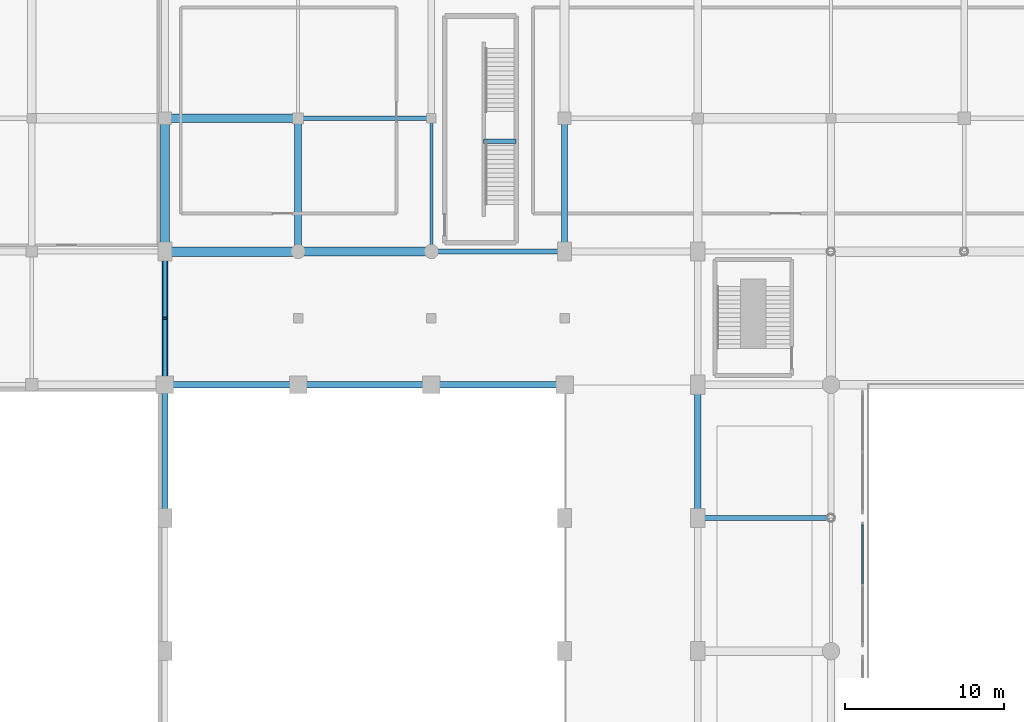
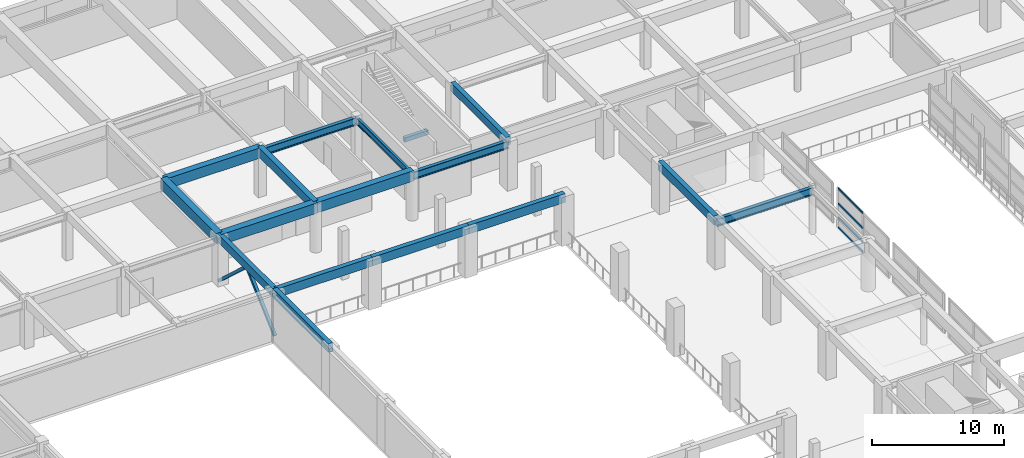
# One storey, part 27 of 65: 17 beams, 6 members, 1 element without a shape of its own.
"""IFC4 building model written with IfcOpenShell, lengths in metres."""

import ifcopenshell
import ifcopenshell.guid

model = None  # the IFC model being written
_history = None  # IfcOwnerHistory: only IFC2X3 demands one
_inside = {}  # id of a spatial element -> (the spatial element, [elements in it])
_under = {}  # id of a project, library or spatial element -> (it, [spatial elements below it])
_declared = {}  # id of a project -> (the project, [libraries it declares])
_typed = {}  # id of a type object -> (the type object, [elements of that type])
_made_of = {}  # id of a material, layer set ... -> (it, [elements and type objects made of it])


def new_model(schema):
    """Start an empty IFC model of exactly this schema.

    Asked for "IFC4X3", IfcOpenShell would pick the latest addendum, in which some entities
    have other attributes; the version numbers below select the first issue.
    IFC2X3 requires an IfcOwnerHistory on every rooted entity: one is made here for all.
    """
    global model, _history
    if schema == "IFC4X3":
        model = ifcopenshell.file(schema_version=(4, 3, 0, 0))
    else:
        model = ifcopenshell.file(schema=schema)
    _inside.clear()
    _under.clear()
    _declared.clear()
    _typed.clear()
    _made_of.clear()
    _history = None
    if model.schema == "IFC2X3":
        org = make("IfcOrganization", Name="unknown")
        user = make(
            "IfcPersonAndOrganization",
            ThePerson=make("IfcPerson", FamilyName="unknown"),
            TheOrganization=org,
        )
        app = make(
            "IfcApplication",
            ApplicationDeveloper=org,
            Version="unknown",
            ApplicationFullName="unknown",
            ApplicationIdentifier="unknown",
        )
        _history = make(
            "IfcOwnerHistory",
            OwningUser=user,
            OwningApplication=app,
            ChangeAction="ADDED",
            CreationDate=0,
        )
    return model


def make(cls, **values):
    """One entity of the class cls with the attributes given. An attribute that is None is left unset."""
    return model.create_entity(
        cls, **{name: value for name, value in values.items() if value is not None}
    )


def rooted(cls, **values):
    """An entity with a GlobalId (a new one), such as an element, a storey or a relation."""
    return make(cls, GlobalId=ifcopenshell.guid.new(), OwnerHistory=_history, **values)


def si_unit(unit_type, name, prefix=None):
    """IfcSIUnit, for example si_unit("LENGTHUNIT", "METRE", prefix="MILLI")."""
    return make("IfcSIUnit", UnitType=unit_type, Prefix=prefix, Name=name)


def assignment(units):
    """IfcUnitAssignment: the units of a project."""
    return None if units is None else make("IfcUnitAssignment", Units=units)


def point(xyz):
    """IfcCartesianPoint."""
    return None if xyz is None else make("IfcCartesianPoint", Coordinates=xyz)


def direction(xyz):
    """IfcDirection."""
    return None if xyz is None else make("IfcDirection", DirectionRatios=xyz)


def frame(location, z_axis=None, x_axis=None):
    """IfcAxis2Placement3D, a coordinate frame: its origin and axes. An axis left out is left unset."""
    return make(
        "IfcAxis2Placement3D",
        Location=point(location),
        Axis=direction(z_axis),
        RefDirection=direction(x_axis),
    )


def frame_2d(location, x_axis=None):
    """IfcAxis2Placement2D, a coordinate frame in the plane: its origin and x axis."""
    return make(
        "IfcAxis2Placement2D", Location=point(location), RefDirection=direction(x_axis)
    )


def origin():
    """The frame at (0, 0, 0) with its axes left unset."""
    return frame((0.0, 0.0, 0.0))


def origin_2d():
    """The frame at (0, 0) in the plane with its x axis left unset."""
    return frame_2d((0.0, 0.0))


def place(relative_to, where):
    """IfcLocalPlacement: puts the frame where relative to a parent placement (None: the world)."""
    return make(
        "IfcLocalPlacement", PlacementRelTo=relative_to, RelativePlacement=where
    )


def context(
    kind, dimensions, precision=None, world=None, true_north=None, identifier=None
):
    """IfcGeometricRepresentationContext, for example the 3D "Model" context."""
    return make(
        "IfcGeometricRepresentationContext",
        ContextIdentifier=identifier,
        ContextType=kind,
        CoordinateSpaceDimension=dimensions,
        Precision=precision,
        WorldCoordinateSystem=world,
        TrueNorth=true_north,
    )


def subcontext(parent, identifier, kind, view, scale=None):
    """IfcGeometricRepresentationSubContext, for example "Body" below "Model"."""
    return make(
        "IfcGeometricRepresentationSubContext",
        ContextIdentifier=identifier,
        ContextType=kind,
        ParentContext=parent,
        TargetScale=scale,
        TargetView=view,
    )


def project(units=None, contexts=None):
    """IfcProject with its units and contexts."""
    return rooted(
        "IfcProject",
        Name="project",
        RepresentationContexts=contexts,
        UnitsInContext=assignment(units),
    )


def spatial(cls, under=None, at=None, **own):
    """A site, building, storey or space (cls), placed at a placement, below another one or the project."""
    s = rooted(cls, ObjectPlacement=at, **own)
    if under is not None:
        _under.setdefault(under.id(), (under, []))[1].append(s)
    return s


def profile(cls, at=None, kind="AREA", **sizes):
    """A parametric profile (cls). Its sizes go by their IFC names, for example OverallWidth=200.0."""
    return make(cls, ProfileType=kind, Position=at, **sizes)


def rectangle(**sizes):
    """IfcRectangleProfileDef."""
    return profile("IfcRectangleProfileDef", **sizes)


def hollow_rectangle(**sizes):
    """IfcRectangleHollowProfileDef."""
    return profile("IfcRectangleHollowProfileDef", **sizes)


def i_section(**sizes):
    """IfcIShapeProfileDef."""
    return profile("IfcIShapeProfileDef", **sizes)


def extrude(swept, where, along, depth):
    """IfcExtrudedAreaSolid: the profile swept, set in the frame where, extruded along a direction by depth."""
    return make(
        "IfcExtrudedAreaSolid",
        SweptArea=swept,
        Position=where,
        ExtrudedDirection=direction(along),
        Depth=depth,
    )


def shape(context_of_items, identifier, shape_type, items):
    """IfcShapeRepresentation: the items that make up one representation, for example the "Body"."""
    return make(
        "IfcShapeRepresentation",
        ContextOfItems=context_of_items,
        RepresentationIdentifier=identifier,
        RepresentationType=shape_type,
        Items=items,
    )


def material(Name=None, Category=None):
    """IfcMaterial."""
    return make("IfcMaterial", Name=Name, Category=Category)


def material_profile(
    of_material, cross_section, Name=None, Category=None, Priority=None
):
    """IfcMaterialProfile: a cross section and its material."""
    return make(
        "IfcMaterialProfile",
        Name=Name,
        Material=of_material,
        Profile=cross_section,
        Priority=Priority,
        Category=Category,
    )


def profile_set(profiles, Name=None, composite=None):
    """IfcMaterialProfileSet."""
    return make(
        "IfcMaterialProfileSet",
        Name=Name,
        MaterialProfiles=profiles,
        CompositeProfile=composite,
    )


def made_of(thing, what):
    """Note that an element or type object is made of a material, layer set ...; save() writes the relation."""
    if what is not None:
        _made_of.setdefault(what.id(), (what, []))[1].append(thing)
    return thing


def type_object(cls, material=None, **own):
    """A type object (cls), such as IfcWallType, which elements share."""
    return made_of(rooted(cls, **own), material)


def element(
    cls,
    number,
    at=None,
    inside=None,
    cuts=None,
    type_object=None,
    material=None,
    context=None,
    identifier="Body",
    shape_type=None,
    held_by="IfcProductDefinitionShape",
    body=None,
    shapes=None,
    **own,
):
    """One element of the class cls, such as IfcWall. Its Tag is "e" and its number.

    at: its placement. inside: the storey or other place that contains it. cuts: it is an
    opening in that element (IfcRelVoidsElement). A single representation is given by context,
    identifier, shape_type and body (its items); several are given by shapes. held_by: the class
    of the entity that holds the representations. save() writes the other relations.
    """
    e = rooted(cls, Tag="e%d" % number, ObjectPlacement=at, **own)
    if body is not None:
        shapes = [shape(context, identifier, shape_type, body)]
    if shapes is not None:
        e.Representation = make(held_by, Representations=shapes)
    if inside is not None:
        _inside.setdefault(inside.id(), (inside, []))[1].append(e)
    if cuts is not None:
        rooted(
            "IfcRelVoidsElement", RelatingBuildingElement=cuts, RelatedOpeningElement=e
        )
    if type_object is not None:
        _typed.setdefault(type_object.id(), (type_object, []))[1].append(e)
    return made_of(e, material)


def aggregate(whole, parts):
    """IfcRelAggregates: a whole, such as a stair, and the parts it consists of."""
    return rooted("IfcRelAggregates", RelatingObject=whole, RelatedObjects=parts)


def save(model, path):
    """Write the relations noted so far, then the file.

    IfcRelAggregates (storeys below a building ...), IfcRelContainedInSpatialStructure (elements
    in a storey), IfcRelDefinesByType, IfcRelAssociatesMaterial and IfcRelDeclares: one each for
    every whole, place, type object, material and project.
    """
    for whole, parts in _under.values():
        aggregate(whole, parts)
    for where, things in _inside.values():
        rooted(
            "IfcRelContainedInSpatialStructure",
            RelatedElements=things,
            RelatingStructure=where,
        )
    for kind, things in _typed.values():
        rooted("IfcRelDefinesByType", RelatedObjects=things, RelatingType=kind)
    for what, things in _made_of.values():
        rooted("IfcRelAssociatesMaterial", RelatedObjects=things, RelatingMaterial=what)
    for by, libraries in _declared.values():
        rooted("IfcRelDeclares", RelatingContext=by, RelatedDefinitions=libraries)
    model.write(path)


model = new_model("IFC4")

# Units and contexts
model_context = context("Model", 3, precision=1e-05, world=origin(), true_north=direction((0.0, 1.0)))
body_context = subcontext(model_context, "Body", "Model", "MODEL_VIEW")
ifc_project = project(units=[si_unit("LENGTHUNIT", "METRE"), si_unit("AREAUNIT", "SQUARE_METRE"), si_unit("VOLUMEUNIT", "CUBIC_METRE"), si_unit("PLANEANGLEUNIT", "RADIAN"), si_unit("MASSUNIT", "GRAM", prefix="KILO")], contexts=[model_context])

# Site, building, storey
site_placement = place(None, origin())
site = spatial("IfcSite", under=ifc_project, at=site_placement, CompositionType="ELEMENT")
building_placement = place(site_placement, origin())
building = spatial("IfcBuilding", under=site, at=building_placement, Name="Xuanlan Plaza Opera House", CompositionType="ELEMENT")
storey_placement = place(building_placement, frame((0.0, 0.0, 5.39990234375)))
storey = spatial("IfcBuildingStorey", under=building, at=storey_placement, Name="L01", CompositionType="ELEMENT", Elevation=5.39990234375)

# Curtain wall, members
ifc_material_1 = material(Name="Anodised Aluminium 6063-T6 and Low-E Glass", Category="aluminium")
curtain_wall_type = type_object("IfcCurtainWallType", Name="ENV-CW-CW-06", PredefinedType="USERDEFINED", material=ifc_material_1)
curtain_wall_placement = place(storey_placement, origin())
curtain_wall = element("IfcCurtainWall", 1, at=curtain_wall_placement, inside=storey, type_object=curtain_wall_type, Name="Acoustic Glazed Wall ATR-L01-13", ObjectType="ACOUSTIC GLAZED WALL", PredefinedType="USERDEFINED")
ifc_material_2 = material(Name="Anodised Aluminium 6063-T6", Category="aluminium")
ifc_material_profile_1 = material_profile(ifc_material_2, rectangle(XDim=0.090087890625, YDim=0.179931640625, at=origin_2d()), Name="ALU-T 90x180")
ifc_profile_set_1 = profile_set([ifc_material_profile_1], Name="Anodised Aluminium 6063-T6")
member_type_1 = type_object("IfcMemberType", Name="ENV-CWT-05", PredefinedType="USERDEFINED", material=ifc_profile_set_1)
member_1_placement = place(storey_placement, frame((111.199951171875, 63.044921875, 0.045166015625), z_axis=(0.0, 1.0, 0.0), x_axis=(-1.0, 0.0, 0.0)))
member_1 = element("IfcMember", 2, at=member_1_placement, type_object=member_type_1, Name="CW-06 transom 2.1", ObjectType="TRANSOM", PredefinedType="USERDEFINED", context=body_context, shape_type="SweptSolid", body=[
    extrude(rectangle(XDim=0.090087890625, YDim=0.179931640625, at=origin_2d()), origin(), (0.0, 0.0, 1.0), 3.715087890625),
])
member_2_placement = place(storey_placement, frame((111.199951171875, 63.044921875, 0.9501953125), z_axis=(0.0, 1.0, 0.0), x_axis=(-1.0, 0.0, 0.0)))
member_2 = element("IfcMember", 3, at=member_2_placement, type_object=member_type_1, Name="CW-06 transom 2.2", ObjectType="TRANSOM", PredefinedType="USERDEFINED", context=body_context, shape_type="SweptSolid", body=[
    extrude(rectangle(XDim=0.090087890625, YDim=0.179931640625, at=origin_2d()), origin(), (0.0, 0.0, 1.0), 3.715087890625),
])
member_3_placement = place(storey_placement, frame((111.199951171875, 63.044921875, 2.25), z_axis=(0.0, 1.0, 0.0), x_axis=(-1.0, 0.0, 0.0)))
member_3 = element("IfcMember", 4, at=member_3_placement, type_object=member_type_1, Name="CW-06 transom 2.3", ObjectType="TRANSOM", PredefinedType="USERDEFINED", context=body_context, shape_type="SweptSolid", body=[
    extrude(rectangle(XDim=0.090087890625, YDim=0.179931640625, at=origin_2d()), origin(), (0.0, 0.0, 1.0), 3.715087890625),
])
member_4_placement = place(storey_placement, frame((111.199951171875, 63.044921875, 3.635009765625), z_axis=(0.0, 1.0, 0.0), x_axis=(-1.0, 0.0, 0.0)))
member_4 = element("IfcMember", 5, at=member_4_placement, type_object=member_type_1, Name="CW-06 transom 2.4", ObjectType="TRANSOM", PredefinedType="USERDEFINED", context=body_context, shape_type="SweptSolid", body=[
    extrude(rectangle(XDim=0.090087890625, YDim=0.179931640625, at=origin_2d()), origin(), (0.0, 0.0, 1.0), 3.715087890625),
])
aggregate(curtain_wall, [member_1, member_2, member_3, member_4])

# Beams
ifc_material_3 = material(Name="Concrete C50", Category="concrete")
ifc_material_profile_2 = material_profile(ifc_material_3, rectangle(XDim=0.60009765625, YDim=0.949951171875, at=origin_2d()), Name="RC-BM 600x950")
ifc_profile_set_2 = profile_set([ifc_material_profile_2], Name="Concrete C50")
beam_type_1 = type_object("IfcBeamType", Name="STR-BM-B-01", PredefinedType="BEAM", material=ifc_profile_set_2)
beam_1_placement = place(storey_placement, frame((67.199951171875, 84.0, 4.025146484375), z_axis=(1.0, 0.0, 0.0), x_axis=(0.0, 1.0, 0.0)))
element("IfcBeam", 6, at=beam_1_placement, inside=storey, type_object=beam_type_1, Name="Grid Beam X L01 9-10/K", PredefinedType="BEAM", context=body_context, shape_type="SweptSolid", body=[
    extrude(rectangle(XDim=0.60009765625, YDim=0.949951171875, at=origin_2d()), origin(), (0.0, 0.0, 1.0), 8.400146484375),
])
ifc_material_profile_3 = material_profile(ifc_material_3, rectangle(XDim=0.550048828125, YDim=0.949951171875, at=origin_2d()), Name="RC-BM 550x950")
ifc_profile_set_3 = profile_set([ifc_material_profile_3], Name="Concrete C50")
beam_type_2 = type_object("IfcBeamType", Name="STR-BM-B-02", PredefinedType="BEAM", material=ifc_profile_set_3)
beam_2_placement = place(storey_placement, frame((75.60009765625, 84.0, 4.025146484375), z_axis=(1.0, 0.0, 0.0), x_axis=(0.0, 1.0, 0.0)))
element("IfcBeam", 7, at=beam_2_placement, inside=storey, type_object=beam_type_2, Name="Grid Beam X L01 10-11/K", PredefinedType="BEAM", context=body_context, shape_type="SweptSolid", body=[
    extrude(rectangle(XDim=0.550048828125, YDim=0.949951171875, at=origin_2d()), origin(), (0.0, 0.0, 1.0), 8.39990234375),
])
beam_3_placement = place(storey_placement, frame((67.199951171875, 92.39990234375, 4.025146484375), z_axis=(1.0, 0.0, 0.0), x_axis=(0.0, 1.0, 0.0)))
element("IfcBeam", 8, at=beam_3_placement, inside=storey, type_object=beam_type_2, Name="Grid Beam X L01 9-10/L", PredefinedType="BEAM", context=body_context, shape_type="SweptSolid", body=[
    extrude(rectangle(XDim=0.550048828125, YDim=0.949951171875, at=origin_2d()), origin(), (0.0, 0.0, 1.0), 8.400146484375),
])
beam_4_placement = place(storey_placement, frame((67.199951171875, 84.0, 4.025146484375), z_axis=(0.0, 1.0, 0.0), x_axis=(-1.0, 0.0, 0.0)))
element("IfcBeam", 9, at=beam_4_placement, inside=storey, type_object=beam_type_2, Name="Grid Beam Y L01 9/K-L", PredefinedType="BEAM", context=body_context, shape_type="SweptSolid", body=[
    extrude(rectangle(XDim=0.550048828125, YDim=0.949951171875, at=origin_2d()), origin(), (0.0, 0.0, 1.0), 8.39990234375),
])
ifc_material_4 = material(Name="Concrete C40", Category="concrete")
ifc_material_profile_4 = material_profile(ifc_material_4, rectangle(XDim=0.449951171875, YDim=0.85009765625, at=origin_2d()), Name="RC-BM 450x850")
ifc_profile_set_4 = profile_set([ifc_material_profile_4], Name="Concrete C40")
beam_type_3 = type_object("IfcBeamType", Name="STR-BM-B-04", PredefinedType="BEAM", material=ifc_profile_set_4)
beam_5_placement = place(storey_placement, frame((75.60009765625, 84.0, 4.0751953125), z_axis=(0.0, 1.0, 0.0), x_axis=(-1.0, 0.0, 0.0)))
element("IfcBeam", 10, at=beam_5_placement, inside=storey, type_object=beam_type_3, Name="Grid Beam Y L01 10/K-L", PredefinedType="BEAM", context=body_context, shape_type="SweptSolid", body=[
    extrude(rectangle(XDim=0.449951171875, YDim=0.85009765625, at=origin_2d()), origin(), (0.0, 0.0, 1.0), 8.39990234375),
])
ifc_material_profile_5 = material_profile(ifc_material_4, rectangle(XDim=0.39990234375, YDim=0.75, at=origin_2d()), Name="RC-BM 400x750")
ifc_profile_set_5 = profile_set([ifc_material_profile_5], Name="Concrete C40")
beam_type_4 = type_object("IfcBeamType", Name="STR-BM-B-06", PredefinedType="BEAM", material=ifc_profile_set_5)
for number, where, z_axis, x_axis, name in (
    (11, (67.199951171875, 75.60009765625, 4.125), (0.0, 1.0, 0.0), (-1.0, 0.0, 0.0), "Grid Beam Y L01 9/J-K"),
    (12, (92.39990234375, 84.0, 4.125), (0.0, 1.0, 0.0), (-1.0, 0.0, 0.0), "Grid Beam Y L01 12/K-L"),
):
    element("IfcBeam", number, at=place(storey_placement, frame(where, z_axis=z_axis, x_axis=x_axis)), inside=storey, type_object=beam_type_4, Name=name, PredefinedType="BEAM", context=body_context, shape_type="SweptSolid", body=[
        extrude(rectangle(XDim=0.39990234375, YDim=0.75, at=origin_2d()), origin(), (0.0, 0.0, 1.0), 8.39990234375),
    ])
ifc_material_profile_6 = material_profile(ifc_material_4, rectangle(XDim=0.300048828125, YDim=0.39990234375, at=origin_2d()), Name="RC-LNT 300x400")
ifc_profile_set_6 = profile_set([ifc_material_profile_6], Name="Concrete C40")
beam_type_5 = type_object("IfcBeamType", Name="STR-BM-LN-01", PredefinedType="LINTEL", material=ifc_profile_set_6)
beam_6_placement = place(storey_placement, frame((87.300048828125, 90.9599609375, 1.85009765625), z_axis=(1.0, 0.0, 0.0), x_axis=(0.0, 1.0, 0.0)))
element("IfcBeam", 13, at=beam_6_placement, inside=storey, type_object=beam_type_5, Name="Stair Mid-Landing Trimmer Beam ST-P4 L01", PredefinedType="LINTEL", context=body_context, shape_type="SweptSolid", body=[
    extrude(rectangle(XDim=0.300048828125, YDim=0.39990234375, at=origin_2d()), origin(), (0.0, 0.0, 1.0), 2.050048828125),
])
ifc_material_5 = material(Name="Steel Q355B", Category="steel")
ifc_material_profile_7 = material_profile(ifc_material_5, i_section(OverallWidth=0.300048828125, OverallDepth=0.699951171875, WebThickness=0.012939453125, FlangeThickness=0.02392578125, FilletRadius=0.02392578125, at=origin_2d()), Name="HN 700x300x13x24")
ifc_profile_set_7 = profile_set([ifc_material_profile_7], Name="Steel Q355B")
beam_type_6 = type_object("IfcBeamType", Name="STR-BM-SB-03", PredefinedType="BEAM", material=ifc_profile_set_7)
for number, where, z_axis, x_axis, name in (
    (14, (100.800048828125, 67.199951171875, 3.885009765625), (1.0, 0.0, 0.0), (0.0, 1.0, 0.0), "Grid Beam X L01 13-14/I"),
    (15, (84.0, 84.0, 3.885009765625), (1.0, 0.0, 0.0), (0.0, 1.0, 0.0), "Grid Beam X L01 11-12/K"),
    (16, (75.60009765625, 92.39990234375, 3.885009765625), (1.0, 0.0, 0.0), (0.0, 1.0, 0.0), "Grid Beam X L01 10-11/L"),
):
    element("IfcBeam", number, at=place(storey_placement, frame(where, z_axis=z_axis, x_axis=x_axis)), inside=storey, type_object=beam_type_6, Name=name, PredefinedType="BEAM", context=body_context, shape_type="SweptSolid", body=[
        extrude(i_section(OverallWidth=0.300048828125, OverallDepth=0.699951171875, WebThickness=0.012939453125, FlangeThickness=0.02392578125, FilletRadius=0.02392578125, at=origin_2d()), origin(), (0.0, 0.0, 1.0), 8.39990234375),
    ])
ifc_material_profile_8 = material_profile(ifc_material_5, i_section(OverallWidth=0.199951171875, OverallDepth=0.60009765625, WebThickness=0.010986328125, FlangeThickness=0.01708984375, FilletRadius=0.02197265625, at=origin_2d()), Name="HN 600x200x11x17")
ifc_profile_set_8 = profile_set([ifc_material_profile_8], Name="Steel Q355B")
beam_type_7 = type_object("IfcBeamType", Name="STR-BM-SB-04", PredefinedType="BEAM", material=ifc_profile_set_8)
beam_7_placement = place(storey_placement, frame((84.0, 84.0, 3.93505859375), z_axis=(0.0, 1.0, 0.0), x_axis=(-1.0, 0.0, 0.0)))
element("IfcBeam", 17, at=beam_7_placement, inside=storey, type_object=beam_type_7, Name="Grid Beam Y L01 11/K-L", PredefinedType="BEAM", context=body_context, shape_type="SweptSolid", body=[
    extrude(i_section(OverallWidth=0.199951171875, OverallDepth=0.60009765625, WebThickness=0.010986328125, FlangeThickness=0.01708984375, FilletRadius=0.02197265625, at=origin_2d()), origin(), (0.0, 0.0, 1.0), 8.39990234375),
])
ifc_material_profile_9 = material_profile(ifc_material_4, rectangle(XDim=0.39990234375, YDim=0.800048828125, at=origin_2d()), Name="RC-SPD 400x800")
ifc_profile_set_9 = profile_set([ifc_material_profile_9], Name="Concrete C40")
beam_type_8 = type_object("IfcBeamType", Name="STR-BM-SP-01", PredefinedType="SPANDREL", material=ifc_profile_set_9)
beam_8_placement = place(storey_placement, frame((67.199951171875, 75.60009765625, 4.10009765625), z_axis=(1.0, 0.0, 0.0), x_axis=(0.0, 1.0, 0.0)))
element("IfcBeam", 18, at=beam_8_placement, inside=storey, type_object=beam_type_8, Name="Grid Beam X L01 9-10/J", PredefinedType="SPANDREL", context=body_context, shape_type="SweptSolid", body=[
    extrude(rectangle(XDim=0.39990234375, YDim=0.800048828125, at=origin_2d()), origin(), (0.0, 0.0, 1.0), 8.400146484375),
])
for number, where, z_axis, x_axis, name in (
    (19, (75.60009765625, 75.60009765625, 4.10009765625), (1.0, 0.0, 0.0), (0.0, 1.0, 0.0), "Grid Beam X L01 10-11/J"),
    (20, (84.0, 75.60009765625, 4.10009765625), (1.0, 0.0, 0.0), (0.0, 1.0, 0.0), "Grid Beam X L01 11-12/J"),
):
    element("IfcBeam", number, at=place(storey_placement, frame(where, z_axis=z_axis, x_axis=x_axis)), inside=storey, type_object=beam_type_8, Name=name, PredefinedType="SPANDREL", context=body_context, shape_type="SweptSolid", body=[
        extrude(rectangle(XDim=0.39990234375, YDim=0.800048828125, at=origin_2d()), origin(), (0.0, 0.0, 1.0), 8.39990234375),
    ])
for number, where, z_axis, x_axis, name in (
    (21, (67.199951171875, 67.199951171875, 4.10009765625), (0.0, 1.0, 0.0), (-1.0, 0.0, 0.0), "Grid Beam Y L01 9/I-J"),
    (22, (100.800048828125, 67.199951171875, 4.10009765625), (0.0, 1.0, 0.0), (-1.0, 0.0, 0.0), "Grid Beam Y L01 13/I-J"),
):
    element("IfcBeam", number, at=place(storey_placement, frame(where, z_axis=z_axis, x_axis=x_axis)), inside=storey, type_object=beam_type_8, Name=name, PredefinedType="SPANDREL", context=body_context, shape_type="SweptSolid", body=[
        extrude(rectangle(XDim=0.39990234375, YDim=0.800048828125, at=origin_2d()), origin(), (0.0, 0.0, 1.0), 8.400146484375),
    ])

# Members
ifc_material_profile_10 = material_profile(ifc_material_5, hollow_rectangle(XDim=0.25, YDim=0.25, WallThickness=0.011962890625, at=origin_2d()), Name="SHS 250x250x12")
ifc_profile_set_10 = profile_set([ifc_material_profile_10], Name="Steel Q355B")
member_type_2 = type_object("IfcMemberType", Name="STR-MEM-BR-06", PredefinedType="BRACE", material=ifc_profile_set_10)
for number, where, z_axis, x_axis, name in (
    (23, (67.199951171875, 75.60009765625, 0.10009765625), (0.0, 0.737141689437, 0.675738210918), (-1.0, 0.0, 0.0), "Stage Lateral Chevron Brace L01-3A"),
    (24, (67.199951171875, 84.0, 0.10009765625), (0.0, -0.737141689437, 0.675738210918), (1.0, 0.0, 0.0), "Stage Lateral Chevron Brace L01-3B"),
):
    element("IfcMember", number, at=place(storey_placement, frame(where, z_axis=z_axis, x_axis=x_axis)), inside=storey, type_object=member_type_2, Name=name, PredefinedType="BRACE", context=body_context, shape_type="SweptSolid", body=[
        extrude(hollow_rectangle(XDim=0.25, YDim=0.25, WallThickness=0.011962890625, at=origin_2d()), origin(), (0.0, 0.0, 1.0), 5.697509765625),
    ])

save(model, "model.ifc")
